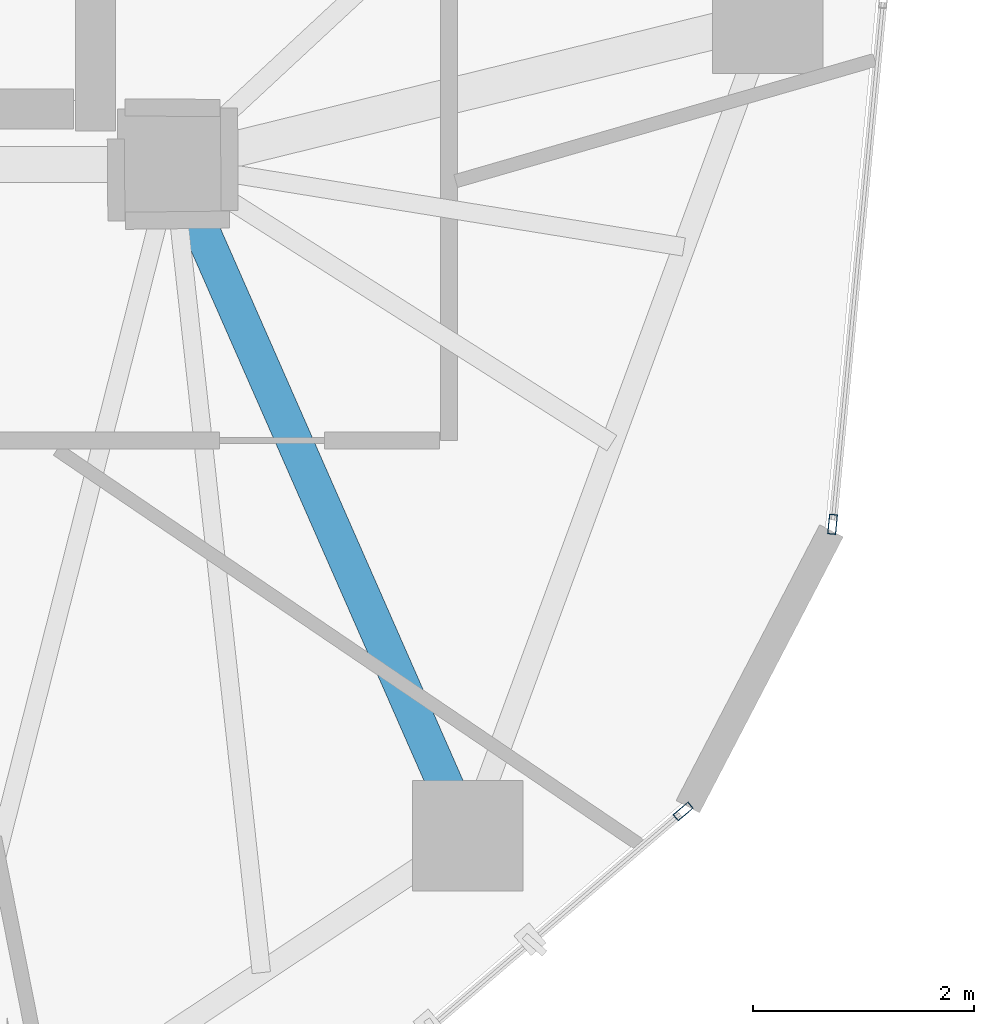
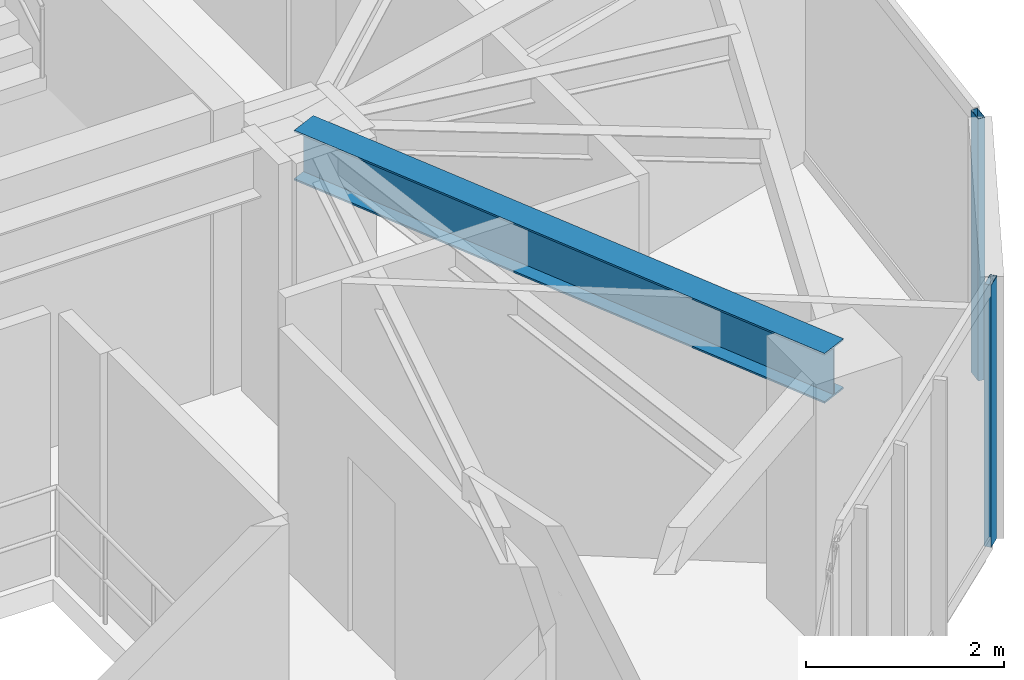
# One storey, part 6 of 21: 2 members, 1 beam, 2 elements without a shape of their own.
"""IFC4 building model written with IfcOpenShell, lengths in metres."""

from ifc_helpers import new_model, si_unit, direction, frame, origin, origin_2d, place, context, subcontext, project, spatial, hollow_rectangle, i_section, extrude, source, transform, mapped, material, layer, layer_set, material_profile, profile_set, type_object, type_shapes, element, aggregate, save


model = new_model("IFC4")

# Units and contexts
model_context = context("Model", 3, precision=1e-05, world=origin(), true_north=direction((0.0, 1.0)))
body_context = subcontext(model_context, "Body", "Model", "MODEL_VIEW")
ifc_project = project(units=[si_unit("LENGTHUNIT", "METRE"), si_unit("AREAUNIT", "SQUARE_METRE"), si_unit("VOLUMEUNIT", "CUBIC_METRE"), si_unit("PLANEANGLEUNIT", "RADIAN"), si_unit("MASSUNIT", "GRAM", prefix="KILO")], contexts=[model_context])

# Site, building, storey
site_placement = place(None, origin())
site = spatial("IfcSite", under=ifc_project, at=site_placement, CompositionType="ELEMENT")
building_placement = place(site_placement, origin())
building = spatial("IfcBuilding", under=site, at=building_placement, Name="Talar Marvaseh", CompositionType="ELEMENT")
storey_placement = place(building_placement, frame((0.0, 0.0, 225.699951171875)))
storey = spatial("IfcBuildingStorey", under=building, at=storey_placement, Name="L59", CompositionType="ELEMENT", Elevation=225.699951171875)

# Beam
ifc_material_1 = material(Name="Steel S355", Category="steel")
ifc_material_profile_1 = material_profile(ifc_material_1, i_section(OverallWidth=0.324951171875, OverallDepth=0.615966796875, WebThickness=0.013916015625, FlangeThickness=0.021484375, at=origin_2d()), Name="W610x174")
ifc_profile_set_1 = profile_set([ifc_material_profile_1], Name="Steel S355")
beam_type = type_object("IfcBeamType", Name="Zone 3 Radial Floor Girder W610x174", PredefinedType="BEAM", material=ifc_profile_set_1)
beam_placement = place(storey_placement, frame((35.970947265625, 19.423095703125, 2.922119140625), z_axis=(-0.402367581672, 0.91547819702, 0.0), x_axis=(-0.91547819702, -0.402367581672, 0.0)))
element("IfcBeam", 1, at=beam_placement, inside=storey, type_object=beam_type, Name="L59 Zone 3 Radial Floor Girder W610x174", PredefinedType="BEAM", context=body_context, shape_type="SweptSolid", body=[
    extrude(i_section(OverallWidth=0.324951171875, OverallDepth=0.615966796875, WebThickness=0.013916015625, FlangeThickness=0.021484375, at=origin_2d()), origin(), (0.0, 0.0, 1.0), 6.637939453125),
])

# Curtain wall, member
ifc_material_2 = material(Name="Architectural Aluminium", Category="aluminium")
ifc_layer = layer(ifc_material_2, 0.18994140625)
ifc_layer_set = layer_set([ifc_layer], Name="Architectural Aluminium")
curtain_wall_type = type_object("IfcCurtainWallType", Name="Unitised Solar Atelier Curtain Wall Z3", PredefinedType="NOTDEFINED", material=ifc_layer_set)
curtain_wall_1_placement = place(storey_placement, origin())
curtain_wall_1 = element("IfcCurtainWall", 2, at=curtain_wall_1_placement, inside=storey, type_object=curtain_wall_type, Name="L59 Unitised Solar Atelier Curtain Wall Z3", PredefinedType="NOTDEFINED")
ifc_material_profile_2 = material_profile(ifc_material_2, hollow_rectangle(XDim=0.074951171875, YDim=0.179931640625, WallThickness=0.0048828125, at=origin_2d()), Name="RHS180x75x5")
ifc_profile_set_2 = profile_set([ifc_material_profile_2], Name="Architectural Aluminium")
member_type = type_object("IfcMemberType", Name="Unitised Curtain Wall Standard Mullion RHS180x75x5", PredefinedType="MULLION", material=ifc_profile_set_2)
shared_shape = source(origin(), body_context, "Body", "SweptSolid", [
    extrude(hollow_rectangle(XDim=0.074951171875, YDim=0.179931640625, WallThickness=0.0048828125, at=origin_2d()), origin(), (0.0, 0.0, 1.0), 3.22998046875),
])
type_shapes(member_type, [shared_shape])
member_1_placement = place(storey_placement, frame((39.273681640625, 22.241455078125, 0.0), z_axis=(0.0, 0.0, 1.0), x_axis=(0.995381660069, -0.095996618681, 0.0)))
member_1 = element("IfcMember", 3, at=member_1_placement, type_object=member_type, Name="CW-Z3 mullion 5", PredefinedType="MULLION", context=body_context, shape_type="MappedRepresentation", body=[
    mapped(shared_shape, transform((0.0, 0.0, 0.0), x_axis=(1.0, 0.0, 0.0), y_axis=(0.0, 1.0, 0.0), z_axis=(0.0, 0.0, 1.0), scale=1.0)),
])
aggregate(curtain_wall_1, [member_1])

curtain_wall_2_placement = place(storey_placement, origin())
curtain_wall_2 = element("IfcCurtainWall", 4, at=curtain_wall_2_placement, inside=storey, type_object=curtain_wall_type, Name="L59 Unitised Solar Atelier Curtain Wall Z3", PredefinedType="NOTDEFINED")
member_2_placement = place(storey_placement, frame((37.9208984375, 19.642822265625, 0.0), z_axis=(0.0, 0.0, 1.0), x_axis=(0.649564719149, -0.760306303826, 0.0)))
member_2 = element("IfcMember", 5, at=member_2_placement, type_object=member_type, Name="CW-Z3 mullion 1", PredefinedType="MULLION", context=body_context, shape_type="MappedRepresentation", body=[
    mapped(shared_shape, transform((0.0, 0.0, 0.0), x_axis=(1.0, 0.0, 0.0), y_axis=(0.0, 1.0, 0.0), z_axis=(0.0, 0.0, 1.0), scale=1.0)),
])
aggregate(curtain_wall_2, [member_2])

save(model, "model.ifc")
